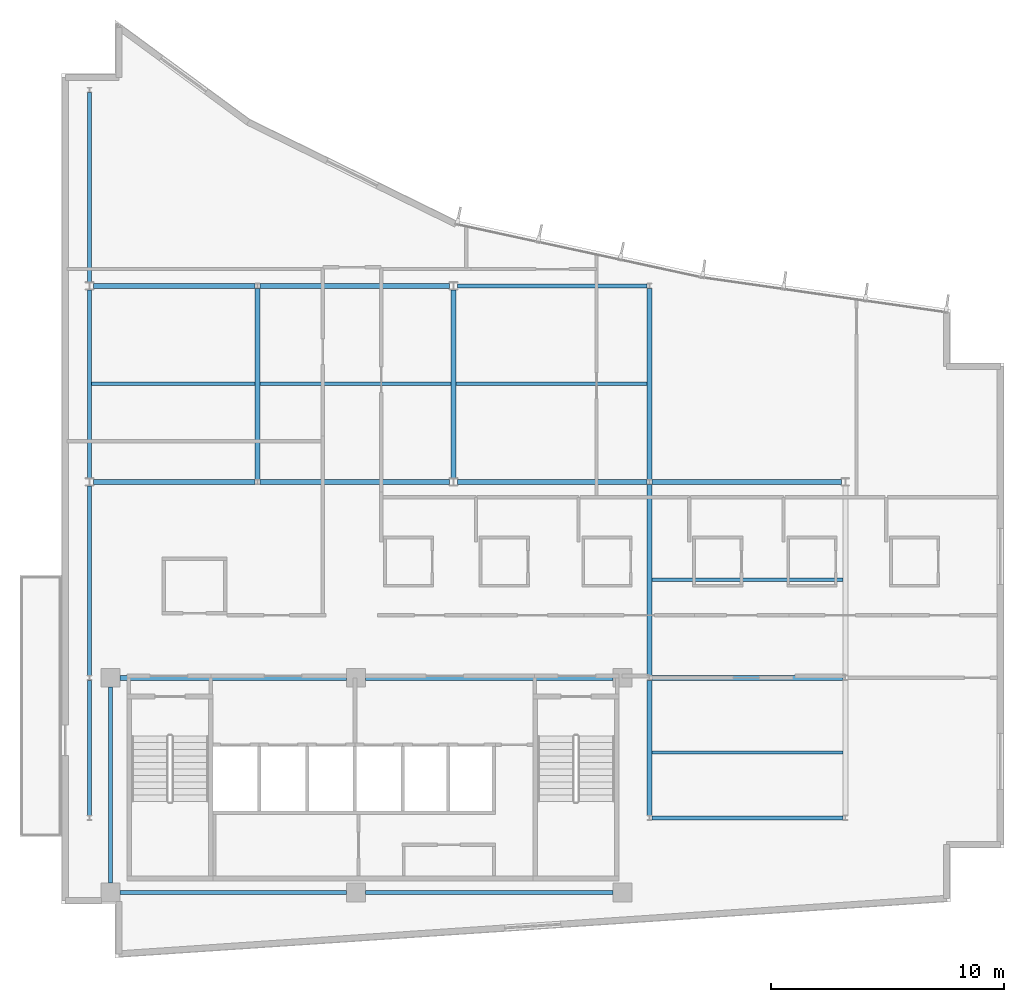
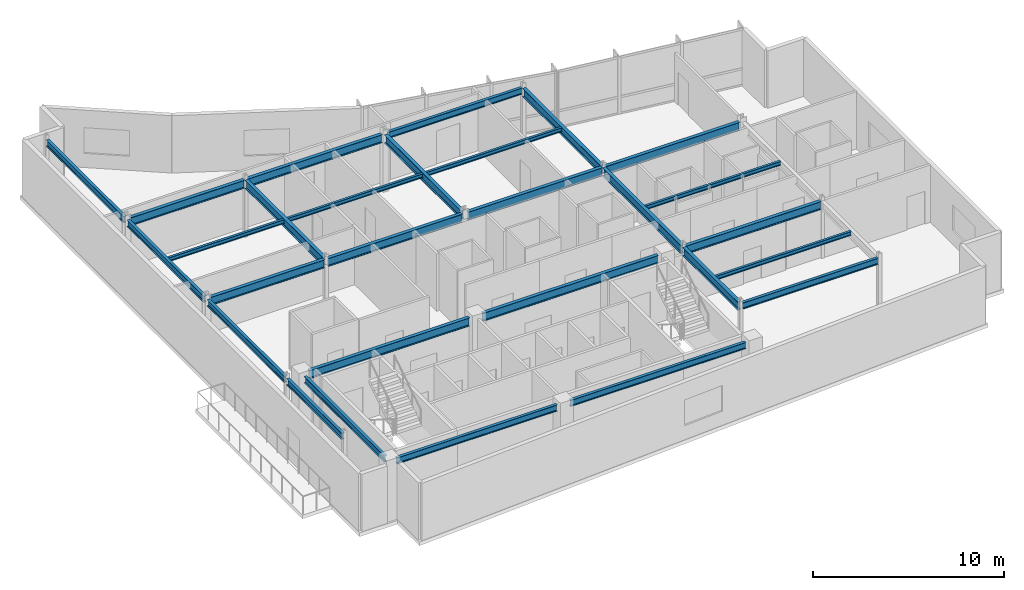
# One storey, part 5 of 15: 28 beams.
"""IFC4 building model written with IfcOpenShell, lengths in metres."""

import ifcopenshell
import ifcopenshell.guid

model = None  # the IFC model being written
_history = None  # IfcOwnerHistory: only IFC2X3 demands one
_inside = {}  # id of a spatial element -> (the spatial element, [elements in it])
_under = {}  # id of a project, library or spatial element -> (it, [spatial elements below it])
_declared = {}  # id of a project -> (the project, [libraries it declares])
_typed = {}  # id of a type object -> (the type object, [elements of that type])
_made_of = {}  # id of a material, layer set ... -> (it, [elements and type objects made of it])


def new_model(schema):
    """Start an empty IFC model of exactly this schema.

    Asked for "IFC4X3", IfcOpenShell would pick the latest addendum, in which some entities
    have other attributes; the version numbers below select the first issue.
    IFC2X3 requires an IfcOwnerHistory on every rooted entity: one is made here for all.
    """
    global model, _history
    if schema == "IFC4X3":
        model = ifcopenshell.file(schema_version=(4, 3, 0, 0))
    else:
        model = ifcopenshell.file(schema=schema)
    _inside.clear()
    _under.clear()
    _declared.clear()
    _typed.clear()
    _made_of.clear()
    _history = None
    if model.schema == "IFC2X3":
        org = make("IfcOrganization", Name="unknown")
        user = make(
            "IfcPersonAndOrganization",
            ThePerson=make("IfcPerson", FamilyName="unknown"),
            TheOrganization=org,
        )
        app = make(
            "IfcApplication",
            ApplicationDeveloper=org,
            Version="unknown",
            ApplicationFullName="unknown",
            ApplicationIdentifier="unknown",
        )
        _history = make(
            "IfcOwnerHistory",
            OwningUser=user,
            OwningApplication=app,
            ChangeAction="ADDED",
            CreationDate=0,
        )
    return model


def make(cls, **values):
    """One entity of the class cls with the attributes given. An attribute that is None is left unset."""
    return model.create_entity(
        cls, **{name: value for name, value in values.items() if value is not None}
    )


def rooted(cls, **values):
    """An entity with a GlobalId (a new one), such as an element, a storey or a relation."""
    return make(cls, GlobalId=ifcopenshell.guid.new(), OwnerHistory=_history, **values)


def si_unit(unit_type, name, prefix=None):
    """IfcSIUnit, for example si_unit("LENGTHUNIT", "METRE", prefix="MILLI")."""
    return make("IfcSIUnit", UnitType=unit_type, Prefix=prefix, Name=name)


def assignment(units):
    """IfcUnitAssignment: the units of a project."""
    return None if units is None else make("IfcUnitAssignment", Units=units)


def point(xyz):
    """IfcCartesianPoint."""
    return None if xyz is None else make("IfcCartesianPoint", Coordinates=xyz)


def direction(xyz):
    """IfcDirection."""
    return None if xyz is None else make("IfcDirection", DirectionRatios=xyz)


def frame(location, z_axis=None, x_axis=None):
    """IfcAxis2Placement3D, a coordinate frame: its origin and axes. An axis left out is left unset."""
    return make(
        "IfcAxis2Placement3D",
        Location=point(location),
        Axis=direction(z_axis),
        RefDirection=direction(x_axis),
    )


def frame_2d(location, x_axis=None):
    """IfcAxis2Placement2D, a coordinate frame in the plane: its origin and x axis."""
    return make(
        "IfcAxis2Placement2D", Location=point(location), RefDirection=direction(x_axis)
    )


def origin():
    """The frame at (0, 0, 0) with its axes left unset."""
    return frame((0.0, 0.0, 0.0))


def origin_2d():
    """The frame at (0, 0) in the plane with its x axis left unset."""
    return frame_2d((0.0, 0.0))


def place(relative_to, where):
    """IfcLocalPlacement: puts the frame where relative to a parent placement (None: the world)."""
    return make(
        "IfcLocalPlacement", PlacementRelTo=relative_to, RelativePlacement=where
    )


def context(
    kind, dimensions, precision=None, world=None, true_north=None, identifier=None
):
    """IfcGeometricRepresentationContext, for example the 3D "Model" context."""
    return make(
        "IfcGeometricRepresentationContext",
        ContextIdentifier=identifier,
        ContextType=kind,
        CoordinateSpaceDimension=dimensions,
        Precision=precision,
        WorldCoordinateSystem=world,
        TrueNorth=true_north,
    )


def subcontext(parent, identifier, kind, view, scale=None):
    """IfcGeometricRepresentationSubContext, for example "Body" below "Model"."""
    return make(
        "IfcGeometricRepresentationSubContext",
        ContextIdentifier=identifier,
        ContextType=kind,
        ParentContext=parent,
        TargetScale=scale,
        TargetView=view,
    )


def project(units=None, contexts=None):
    """IfcProject with its units and contexts."""
    return rooted(
        "IfcProject",
        Name="project",
        RepresentationContexts=contexts,
        UnitsInContext=assignment(units),
    )


def spatial(cls, under=None, at=None, **own):
    """A site, building, storey or space (cls), placed at a placement, below another one or the project."""
    s = rooted(cls, ObjectPlacement=at, **own)
    if under is not None:
        _under.setdefault(under.id(), (under, []))[1].append(s)
    return s


def profile(cls, at=None, kind="AREA", **sizes):
    """A parametric profile (cls). Its sizes go by their IFC names, for example OverallWidth=200.0."""
    return make(cls, ProfileType=kind, Position=at, **sizes)


def i_section(**sizes):
    """IfcIShapeProfileDef."""
    return profile("IfcIShapeProfileDef", **sizes)


def extrude(swept, where, along, depth):
    """IfcExtrudedAreaSolid: the profile swept, set in the frame where, extruded along a direction by depth."""
    return make(
        "IfcExtrudedAreaSolid",
        SweptArea=swept,
        Position=where,
        ExtrudedDirection=direction(along),
        Depth=depth,
    )


def shape(context_of_items, identifier, shape_type, items):
    """IfcShapeRepresentation: the items that make up one representation, for example the "Body"."""
    return make(
        "IfcShapeRepresentation",
        ContextOfItems=context_of_items,
        RepresentationIdentifier=identifier,
        RepresentationType=shape_type,
        Items=items,
    )


def material(Name=None, Category=None):
    """IfcMaterial."""
    return make("IfcMaterial", Name=Name, Category=Category)


def material_profile(
    of_material, cross_section, Name=None, Category=None, Priority=None
):
    """IfcMaterialProfile: a cross section and its material."""
    return make(
        "IfcMaterialProfile",
        Name=Name,
        Material=of_material,
        Profile=cross_section,
        Priority=Priority,
        Category=Category,
    )


def profile_set(profiles, Name=None, composite=None):
    """IfcMaterialProfileSet."""
    return make(
        "IfcMaterialProfileSet",
        Name=Name,
        MaterialProfiles=profiles,
        CompositeProfile=composite,
    )


def made_of(thing, what):
    """Note that an element or type object is made of a material, layer set ...; save() writes the relation."""
    if what is not None:
        _made_of.setdefault(what.id(), (what, []))[1].append(thing)
    return thing


def type_object(cls, material=None, **own):
    """A type object (cls), such as IfcWallType, which elements share."""
    return made_of(rooted(cls, **own), material)


def element(
    cls,
    number,
    at=None,
    inside=None,
    cuts=None,
    type_object=None,
    material=None,
    context=None,
    identifier="Body",
    shape_type=None,
    held_by="IfcProductDefinitionShape",
    body=None,
    shapes=None,
    **own,
):
    """One element of the class cls, such as IfcWall. Its Tag is "e" and its number.

    at: its placement. inside: the storey or other place that contains it. cuts: it is an
    opening in that element (IfcRelVoidsElement). A single representation is given by context,
    identifier, shape_type and body (its items); several are given by shapes. held_by: the class
    of the entity that holds the representations. save() writes the other relations.
    """
    e = rooted(cls, Tag="e%d" % number, ObjectPlacement=at, **own)
    if body is not None:
        shapes = [shape(context, identifier, shape_type, body)]
    if shapes is not None:
        e.Representation = make(held_by, Representations=shapes)
    if inside is not None:
        _inside.setdefault(inside.id(), (inside, []))[1].append(e)
    if cuts is not None:
        rooted(
            "IfcRelVoidsElement", RelatingBuildingElement=cuts, RelatedOpeningElement=e
        )
    if type_object is not None:
        _typed.setdefault(type_object.id(), (type_object, []))[1].append(e)
    return made_of(e, material)


def aggregate(whole, parts):
    """IfcRelAggregates: a whole, such as a stair, and the parts it consists of."""
    return rooted("IfcRelAggregates", RelatingObject=whole, RelatedObjects=parts)


def save(model, path):
    """Write the relations noted so far, then the file.

    IfcRelAggregates (storeys below a building ...), IfcRelContainedInSpatialStructure (elements
    in a storey), IfcRelDefinesByType, IfcRelAssociatesMaterial and IfcRelDeclares: one each for
    every whole, place, type object, material and project.
    """
    for whole, parts in _under.values():
        aggregate(whole, parts)
    for where, things in _inside.values():
        rooted(
            "IfcRelContainedInSpatialStructure",
            RelatedElements=things,
            RelatingStructure=where,
        )
    for kind, things in _typed.values():
        rooted("IfcRelDefinesByType", RelatedObjects=things, RelatingType=kind)
    for what, things in _made_of.values():
        rooted("IfcRelAssociatesMaterial", RelatedObjects=things, RelatingMaterial=what)
    for by, libraries in _declared.values():
        rooted("IfcRelDeclares", RelatingContext=by, RelatedDefinitions=libraries)
    model.write(path)


model = new_model("IFC4")

# Units and contexts
model_context = context("Model", 3, precision=1e-05, world=origin(), true_north=direction((0.0, 1.0)))
body_context = subcontext(model_context, "Body", "Model", "MODEL_VIEW")
ifc_project = project(units=[si_unit("LENGTHUNIT", "METRE"), si_unit("AREAUNIT", "SQUARE_METRE"), si_unit("VOLUMEUNIT", "CUBIC_METRE"), si_unit("PLANEANGLEUNIT", "RADIAN"), si_unit("MASSUNIT", "GRAM", prefix="KILO")], contexts=[model_context])

# Site, building, storey
site_placement = place(None, origin())
site = spatial("IfcSite", under=ifc_project, at=site_placement, CompositionType="ELEMENT")
building_placement = place(site_placement, origin())
building = spatial("IfcBuilding", under=site, at=building_placement, Name="Varnakote Quay Hospital", CompositionType="ELEMENT")
storey_placement = place(building_placement, frame((0.0, 0.0, 300.0)))
storey = spatial("IfcBuildingStorey", under=building, at=storey_placement, Name="L74", CompositionType="ELEMENT", Elevation=300.0)

# Beams
ifc_material_1 = material(Name="Structural steel AS/NZS 3679.1 Grade 350 L0 (fy 340 MPa)", Category="steel")
ifc_material_profile_1 = material_profile(ifc_material_1, i_section(OverallWidth=0.208984375, OverallDepth=0.528076171875, WebThickness=0.009521484375, FlangeThickness=0.01318359375, FilletRadius=0.013916015625, at=origin_2d()), Name="530UB82.0")
ifc_profile_set_1 = profile_set([ifc_material_profile_1], Name="Structural steel AS/NZS 3679.1 Grade 350 L0 (fy 340 MPa)")
beam_type_1 = type_object("IfcBeamType", Name="BM-STL-530UB82-0", PredefinedType="BEAM", material=ifc_profile_set_1)
beam_1_placement = place(storey_placement, frame((2.5, 12.0, 3.406005859375), z_axis=(1.0, 0.0, 0.0), x_axis=(0.0, 1.0, 0.0)))
element("IfcBeam", 1, at=beam_1_placement, inside=storey, type_object=beam_type_1, Name="L74 Primary Floor Beam", PredefinedType="BEAM", context=body_context, shape_type="SweptSolid", body=[
    extrude(i_section(OverallWidth=0.208984375, OverallDepth=0.528076171875, WebThickness=0.009521484375, FlangeThickness=0.01318359375, FilletRadius=0.013916015625, at=origin_2d()), origin(), (0.0, 0.0, 1.0), 9.719970703125),
])
beam_2_placement = place(storey_placement, frame((13.02001953125, 12.0, 3.406005859375), z_axis=(1.0, 0.0, 0.0), x_axis=(0.0, 1.0, 0.0)))
element("IfcBeam", 2, at=beam_2_placement, inside=storey, type_object=beam_type_1, Name="L74 Primary Floor Beam", PredefinedType="BEAM", context=body_context, shape_type="SweptSolid", body=[
    extrude(i_section(OverallWidth=0.208984375, OverallDepth=0.528076171875, WebThickness=0.009521484375, FlangeThickness=0.01318359375, FilletRadius=0.013916015625, at=origin_2d()), origin(), (0.0, 0.0, 1.0), 10.6298828125),
])
beam_3_placement = place(storey_placement, frame((25.302490234375, 12.0, 3.406005859375), z_axis=(1.0, 0.0, 0.0), x_axis=(0.0, 1.0, 0.0)))
element("IfcBeam", 3, at=beam_3_placement, inside=storey, type_object=beam_type_1, Name="L74 Primary Floor Beam", PredefinedType="BEAM", context=body_context, shape_type="SweptSolid", body=[
    extrude(i_section(OverallWidth=0.208984375, OverallDepth=0.528076171875, WebThickness=0.009521484375, FlangeThickness=0.01318359375, FilletRadius=0.013916015625, at=origin_2d()), origin(), (0.0, 0.0, 1.0), 8.195068359375),
])
beam_4_placement = place(storey_placement, frame((1.375, 20.39990234375, 3.406005859375), z_axis=(1.0, 0.0, 0.0), x_axis=(0.0, 1.0, 0.0)))
element("IfcBeam", 4, at=beam_4_placement, inside=storey, type_object=beam_type_1, Name="L74 Primary Floor Beam", PredefinedType="BEAM", context=body_context, shape_type="SweptSolid", body=[
    extrude(i_section(OverallWidth=0.208984375, OverallDepth=0.528076171875, WebThickness=0.009521484375, FlangeThickness=0.01318359375, FilletRadius=0.013916015625, at=origin_2d()), origin(), (0.0, 0.0, 1.0), 6.922607421875),
])
beam_5_placement = place(storey_placement, frame((8.50244140625, 20.39990234375, 3.406005859375), z_axis=(1.0, 0.0, 0.0), x_axis=(0.0, 1.0, 0.0)))
element("IfcBeam", 5, at=beam_5_placement, inside=storey, type_object=beam_type_1, Name="L74 Primary Floor Beam", PredefinedType="BEAM", context=body_context, shape_type="SweptSolid", body=[
    extrude(i_section(OverallWidth=0.208984375, OverallDepth=0.528076171875, WebThickness=0.009521484375, FlangeThickness=0.01318359375, FilletRadius=0.013916015625, at=origin_2d()), origin(), (0.0, 0.0, 1.0), 8.12255859375),
])
beam_6_placement = place(storey_placement, frame((16.97509765625, 20.39990234375, 3.406005859375), z_axis=(1.0, 0.0, 0.0), x_axis=(0.0, 1.0, 0.0)))
element("IfcBeam", 6, at=beam_6_placement, inside=storey, type_object=beam_type_1, Name="L74 Primary Floor Beam", PredefinedType="BEAM", context=body_context, shape_type="SweptSolid", body=[
    extrude(i_section(OverallWidth=0.208984375, OverallDepth=0.528076171875, WebThickness=0.009521484375, FlangeThickness=0.01318359375, FilletRadius=0.013916015625, at=origin_2d()), origin(), (0.0, 0.0, 1.0), 8.122314453125),
])
beam_7_placement = place(storey_placement, frame((25.302490234375, 20.39990234375, 3.406005859375), z_axis=(1.0, 0.0, 0.0), x_axis=(0.0, 1.0, 0.0)))
element("IfcBeam", 7, at=beam_7_placement, inside=storey, type_object=beam_type_1, Name="L74 Primary Floor Beam", PredefinedType="BEAM", context=body_context, shape_type="SweptSolid", body=[
    extrude(i_section(OverallWidth=0.208984375, OverallDepth=0.528076171875, WebThickness=0.009521484375, FlangeThickness=0.01318359375, FilletRadius=0.013916015625, at=origin_2d()), origin(), (0.0, 0.0, 1.0), 8.12255859375),
])
beam_8_placement = place(storey_placement, frame((1.375, 28.800048828125, 3.406005859375), z_axis=(1.0, 0.0, 0.0), x_axis=(0.0, 1.0, 0.0)))
element("IfcBeam", 8, at=beam_8_placement, inside=storey, type_object=beam_type_1, Name="L74 Primary Floor Beam", PredefinedType="BEAM", context=body_context, shape_type="SweptSolid", body=[
    extrude(i_section(OverallWidth=0.208984375, OverallDepth=0.528076171875, WebThickness=0.009521484375, FlangeThickness=0.01318359375, FilletRadius=0.013916015625, at=origin_2d()), origin(), (0.0, 0.0, 1.0), 6.922607421875),
])
beam_9_placement = place(storey_placement, frame((8.50244140625, 28.800048828125, 3.406005859375), z_axis=(1.0, 0.0, 0.0), x_axis=(0.0, 1.0, 0.0)))
element("IfcBeam", 9, at=beam_9_placement, inside=storey, type_object=beam_type_1, Name="L74 Primary Floor Beam", PredefinedType="BEAM", context=body_context, shape_type="SweptSolid", body=[
    extrude(i_section(OverallWidth=0.208984375, OverallDepth=0.528076171875, WebThickness=0.009521484375, FlangeThickness=0.01318359375, FilletRadius=0.013916015625, at=origin_2d()), origin(), (0.0, 0.0, 1.0), 8.12255859375),
])
beam_10_placement = place(storey_placement, frame((8.39990234375, 20.5048828125, 3.406005859375), z_axis=(0.0, 1.0, 0.0), x_axis=(-1.0, 0.0, 0.0)))
element("IfcBeam", 10, at=beam_10_placement, inside=storey, type_object=beam_type_1, Name="L74 Primary Tie Beam", PredefinedType="BEAM", context=body_context, shape_type="SweptSolid", body=[
    extrude(i_section(OverallWidth=0.208984375, OverallDepth=0.528076171875, WebThickness=0.009521484375, FlangeThickness=0.01318359375, FilletRadius=0.013916015625, at=origin_2d()), origin(), (0.0, 0.0, 1.0), 8.190185546875),
])
beam_11_placement = place(storey_placement, frame((16.800048828125, 20.570068359375, 3.406005859375), z_axis=(0.0, 1.0, 0.0), x_axis=(-1.0, 0.0, 0.0)))
element("IfcBeam", 11, at=beam_11_placement, inside=storey, type_object=beam_type_1, Name="L74 Primary Tie Beam", PredefinedType="BEAM", context=body_context, shape_type="SweptSolid", body=[
    extrude(i_section(OverallWidth=0.208984375, OverallDepth=0.528076171875, WebThickness=0.009521484375, FlangeThickness=0.01318359375, FilletRadius=0.013916015625, at=origin_2d()), origin(), (0.0, 0.0, 1.0), 8.059814453125),
])
beam_12_placement = place(storey_placement, frame((25.199951171875, 6.10498046875, 3.406005859375), z_axis=(0.0, 1.0, 0.0), x_axis=(-1.0, 0.0, 0.0)))
element("IfcBeam", 12, at=beam_12_placement, inside=storey, type_object=beam_type_1, Name="L74 Primary Tie Beam", PredefinedType="BEAM", context=body_context, shape_type="SweptSolid", body=[
    extrude(i_section(OverallWidth=0.208984375, OverallDepth=0.528076171875, WebThickness=0.009521484375, FlangeThickness=0.01318359375, FilletRadius=0.013916015625, at=origin_2d()), origin(), (0.0, 0.0, 1.0), 5.7900390625),
])
beam_13_placement = place(storey_placement, frame((25.199951171875, 12.10498046875, 3.406005859375), z_axis=(0.0, 1.0, 0.0), x_axis=(-1.0, 0.0, 0.0)))
element("IfcBeam", 13, at=beam_13_placement, inside=storey, type_object=beam_type_1, Name="L74 Primary Tie Beam", PredefinedType="BEAM", context=body_context, shape_type="SweptSolid", body=[
    extrude(i_section(OverallWidth=0.208984375, OverallDepth=0.528076171875, WebThickness=0.009521484375, FlangeThickness=0.01318359375, FilletRadius=0.013916015625, at=origin_2d()), origin(), (0.0, 0.0, 1.0), 8.18994140625),
])
beam_14_placement = place(storey_placement, frame((25.199951171875, 20.5048828125, 3.406005859375), z_axis=(0.0, 1.0, 0.0), x_axis=(-1.0, 0.0, 0.0)))
element("IfcBeam", 14, at=beam_14_placement, inside=storey, type_object=beam_type_1, Name="L74 Primary Tie Beam", PredefinedType="BEAM", context=body_context, shape_type="SweptSolid", body=[
    extrude(i_section(OverallWidth=0.208984375, OverallDepth=0.528076171875, WebThickness=0.009521484375, FlangeThickness=0.01318359375, FilletRadius=0.013916015625, at=origin_2d()), origin(), (0.0, 0.0, 1.0), 8.190185546875),
])
ifc_material_2 = material(Name="Structural steel AS/NZS 3679.1 Grade 350 L0 (fy 340 MPa)", Category="steel")
ifc_material_profile_2 = material_profile(ifc_material_2, i_section(OverallWidth=0.14599609375, OverallDepth=0.256103515625, WebThickness=0.00634765625, FlangeThickness=0.010986328125, FilletRadius=0.0087890625, at=origin_2d()), Name="250UB37.3")
ifc_profile_set_2 = profile_set([ifc_material_profile_2], Name="Structural steel AS/NZS 3679.1 Grade 350 L0 (fy 340 MPa)")
beam_type_2 = type_object("IfcBeamType", Name="JST-STL-250UB37-3", PredefinedType="JOIST", material=ifc_profile_set_2)
for number, where, z_axis, x_axis, name in (
    (15, (25.304443359375, 8.800048828125, 3.5419921875), (1.0, 0.0, 0.0), (0.0, 1.0, 0.0), "L74 Composite Floor Joist"),
    (16, (25.304443359375, 16.199951171875, 3.5419921875), (1.0, 0.0, 0.0), (0.0, 1.0, 0.0), "L74 Composite Floor Joist"),
):
    element("IfcBeam", number, at=place(storey_placement, frame(where, z_axis=z_axis, x_axis=x_axis)), inside=storey, type_object=beam_type_2, Name=name, PredefinedType="JOIST", context=body_context, shape_type="SweptSolid", body=[
        extrude(i_section(OverallWidth=0.14599609375, OverallDepth=0.256103515625, WebThickness=0.00634765625, FlangeThickness=0.010986328125, FilletRadius=0.0087890625, at=origin_2d()), origin(), (0.0, 0.0, 1.0), 8.191162109375),
    ])
beam_15_placement = place(storey_placement, frame((1.2890625, 24.60009765625, 3.5419921875), z_axis=(1.0, 0.0, 0.0), x_axis=(0.0, 1.0, 0.0)))
element("IfcBeam", 17, at=beam_15_placement, inside=storey, type_object=beam_type_2, Name="L74 Composite Floor Joist", PredefinedType="JOIST", context=body_context, shape_type="SweptSolid", body=[
    extrude(i_section(OverallWidth=0.14599609375, OverallDepth=0.256103515625, WebThickness=0.00634765625, FlangeThickness=0.010986328125, FilletRadius=0.0087890625, at=origin_2d()), origin(), (0.0, 0.0, 1.0), 7.00634765625),
])
beam_16_placement = place(storey_placement, frame((8.50439453125, 24.60009765625, 3.5419921875), z_axis=(1.0, 0.0, 0.0), x_axis=(0.0, 1.0, 0.0)))
element("IfcBeam", 18, at=beam_16_placement, inside=storey, type_object=beam_type_2, Name="L74 Composite Floor Joist", PredefinedType="JOIST", context=body_context, shape_type="SweptSolid", body=[
    extrude(i_section(OverallWidth=0.14599609375, OverallDepth=0.256103515625, WebThickness=0.00634765625, FlangeThickness=0.010986328125, FilletRadius=0.0087890625, at=origin_2d()), origin(), (0.0, 0.0, 1.0), 8.191162109375),
])
beam_17_placement = place(storey_placement, frame((16.904541015625, 24.60009765625, 3.5419921875), z_axis=(1.0, 0.0, 0.0), x_axis=(0.0, 1.0, 0.0)))
element("IfcBeam", 19, at=beam_17_placement, inside=storey, type_object=beam_type_2, Name="L74 Composite Floor Joist", PredefinedType="JOIST", context=body_context, shape_type="SweptSolid", body=[
    extrude(i_section(OverallWidth=0.14599609375, OverallDepth=0.256103515625, WebThickness=0.00634765625, FlangeThickness=0.010986328125, FilletRadius=0.0087890625, at=origin_2d()), origin(), (0.0, 0.0, 1.0), 8.19091796875),
])
ifc_material_3 = material(Name="Structural steel AS/NZS 3679.1 Grade 350 L0 (fy 340 MPa)", Category="steel")
ifc_material_profile_3 = material_profile(ifc_material_3, i_section(OverallWidth=0.177978515625, OverallDepth=0.403076171875, WebThickness=0.007568359375, FlangeThickness=0.010986328125, FilletRadius=0.011474609375, at=origin_2d()), Name="410UB53.7")
ifc_profile_set_3 = profile_set([ifc_material_profile_3], Name="Structural steel AS/NZS 3679.1 Grade 350 L0 (fy 340 MPa)")
beam_type_3 = type_object("IfcBeamType", Name="SPN-STL-410UB53-7", PredefinedType="SPANDREL", material=ifc_profile_set_3)
beam_18_placement = place(storey_placement, frame((1.199951171875, 6.10498046875, 3.468505859375), z_axis=(0.0, 1.0, 0.0), x_axis=(-1.0, 0.0, 0.0)))
element("IfcBeam", 20, at=beam_18_placement, inside=storey, type_object=beam_type_3, Name="L74 Perimeter Spandrel Beam", PredefinedType="SPANDREL", context=body_context, shape_type="SweptSolid", body=[
    extrude(i_section(OverallWidth=0.177978515625, OverallDepth=0.403076171875, WebThickness=0.007568359375, FlangeThickness=0.010986328125, FilletRadius=0.011474609375, at=origin_2d()), origin(), (0.0, 0.0, 1.0), 5.7900390625),
])
beam_19_placement = place(storey_placement, frame((1.199951171875, 12.10498046875, 3.468505859375), z_axis=(0.0, 1.0, 0.0), x_axis=(-1.0, 0.0, 0.0)))
element("IfcBeam", 21, at=beam_19_placement, inside=storey, type_object=beam_type_3, Name="L74 Perimeter Spandrel Beam", PredefinedType="SPANDREL", context=body_context, shape_type="SweptSolid", body=[
    extrude(i_section(OverallWidth=0.177978515625, OverallDepth=0.403076171875, WebThickness=0.007568359375, FlangeThickness=0.010986328125, FilletRadius=0.011474609375, at=origin_2d()), origin(), (0.0, 0.0, 1.0), 8.125),
])
beam_20_placement = place(storey_placement, frame((1.199951171875, 20.570068359375, 3.468505859375), z_axis=(0.0, 1.0, 0.0), x_axis=(-1.0, 0.0, 0.0)))
element("IfcBeam", 22, at=beam_20_placement, inside=storey, type_object=beam_type_3, Name="L74 Perimeter Spandrel Beam", PredefinedType="SPANDREL", context=body_context, shape_type="SweptSolid", body=[
    extrude(i_section(OverallWidth=0.177978515625, OverallDepth=0.403076171875, WebThickness=0.007568359375, FlangeThickness=0.010986328125, FilletRadius=0.011474609375, at=origin_2d()), origin(), (0.0, 0.0, 1.0), 8.059814453125),
])
beam_21_placement = place(storey_placement, frame((1.199951171875, 28.969970703125, 3.468505859375), z_axis=(0.0, 1.0, 0.0), x_axis=(-1.0, 0.0, 0.0)))
element("IfcBeam", 23, at=beam_21_placement, inside=storey, type_object=beam_type_3, Name="L74 Perimeter Spandrel Beam", PredefinedType="SPANDREL", context=body_context, shape_type="SweptSolid", body=[
    extrude(i_section(OverallWidth=0.177978515625, OverallDepth=0.403076171875, WebThickness=0.007568359375, FlangeThickness=0.010986328125, FilletRadius=0.011474609375, at=origin_2d()), origin(), (0.0, 0.0, 1.0), 8.125),
])
beam_22_placement = place(storey_placement, frame((2.10009765625, 3.199951171875, 3.468505859375), z_axis=(0.0, 1.0, 0.0), x_axis=(-1.0, 0.0, 0.0)))
element("IfcBeam", 24, at=beam_22_placement, inside=storey, type_object=beam_type_3, Name="L74 Perimeter Spandrel Beam", PredefinedType="SPANDREL", context=body_context, shape_type="SweptSolid", body=[
    extrude(i_section(OverallWidth=0.177978515625, OverallDepth=0.403076171875, WebThickness=0.007568359375, FlangeThickness=0.010986328125, FilletRadius=0.011474609375, at=origin_2d()), origin(), (0.0, 0.0, 1.0), 8.400146484375),
])
ifc_material_4 = material(Name="Structural steel AS/NZS 3679.1 Grade 350 L0 (fy 340 MPa)", Category="steel")
ifc_material_profile_4 = material_profile(ifc_material_4, i_section(OverallWidth=0.177978515625, OverallDepth=0.406005859375, WebThickness=0.0078125, FlangeThickness=0.0126953125, FilletRadius=0.011474609375, at=origin_2d()), Name="410UB59.7")
ifc_profile_set_4 = profile_set([ifc_material_profile_4], Name="Structural steel AS/NZS 3679.1 Grade 350 L0 (fy 340 MPa)")
beam_type_4 = type_object("IfcBeamType", Name="SPN-STL-410UB59-7", PredefinedType="SPANDREL", material=ifc_profile_set_4)
beam_23_placement = place(storey_placement, frame((2.5, 2.800048828125, 3.467041015625), z_axis=(1.0, 0.0, 0.0), x_axis=(0.0, 1.0, 0.0)))
element("IfcBeam", 25, at=beam_23_placement, inside=storey, type_object=beam_type_4, Name="L74 Perimeter Spandrel Beam", PredefinedType="SPANDREL", context=body_context, shape_type="SweptSolid", body=[
    extrude(i_section(OverallWidth=0.177978515625, OverallDepth=0.406005859375, WebThickness=0.0078125, FlangeThickness=0.0126953125, FilletRadius=0.011474609375, at=origin_2d()), origin(), (0.0, 0.0, 1.0), 9.719970703125),
])
beam_24_placement = place(storey_placement, frame((13.02001953125, 2.800048828125, 3.467041015625), z_axis=(1.0, 0.0, 0.0), x_axis=(0.0, 1.0, 0.0)))
element("IfcBeam", 26, at=beam_24_placement, inside=storey, type_object=beam_type_4, Name="L74 Perimeter Spandrel Beam", PredefinedType="SPANDREL", context=body_context, shape_type="SweptSolid", body=[
    extrude(i_section(OverallWidth=0.177978515625, OverallDepth=0.406005859375, WebThickness=0.0078125, FlangeThickness=0.0126953125, FilletRadius=0.011474609375, at=origin_2d()), origin(), (0.0, 0.0, 1.0), 10.6298828125),
])
beam_25_placement = place(storey_placement, frame((25.302490234375, 6.0, 3.467041015625), z_axis=(1.0, 0.0, 0.0), x_axis=(0.0, 1.0, 0.0)))
element("IfcBeam", 27, at=beam_25_placement, inside=storey, type_object=beam_type_4, Name="L74 Perimeter Spandrel Beam", PredefinedType="SPANDREL", context=body_context, shape_type="SweptSolid", body=[
    extrude(i_section(OverallWidth=0.177978515625, OverallDepth=0.406005859375, WebThickness=0.0078125, FlangeThickness=0.0126953125, FilletRadius=0.011474609375, at=origin_2d()), origin(), (0.0, 0.0, 1.0), 8.195068359375),
])
beam_26_placement = place(storey_placement, frame((16.97509765625, 28.800048828125, 3.467041015625), z_axis=(1.0, 0.0, 0.0), x_axis=(0.0, 1.0, 0.0)))
element("IfcBeam", 28, at=beam_26_placement, inside=storey, type_object=beam_type_4, Name="L74 Perimeter Spandrel Beam", PredefinedType="SPANDREL", context=body_context, shape_type="SweptSolid", body=[
    extrude(i_section(OverallWidth=0.177978515625, OverallDepth=0.406005859375, WebThickness=0.0078125, FlangeThickness=0.0126953125, FilletRadius=0.011474609375, at=origin_2d()), origin(), (0.0, 0.0, 1.0), 8.122314453125),
])

save(model, "model.ifc")
